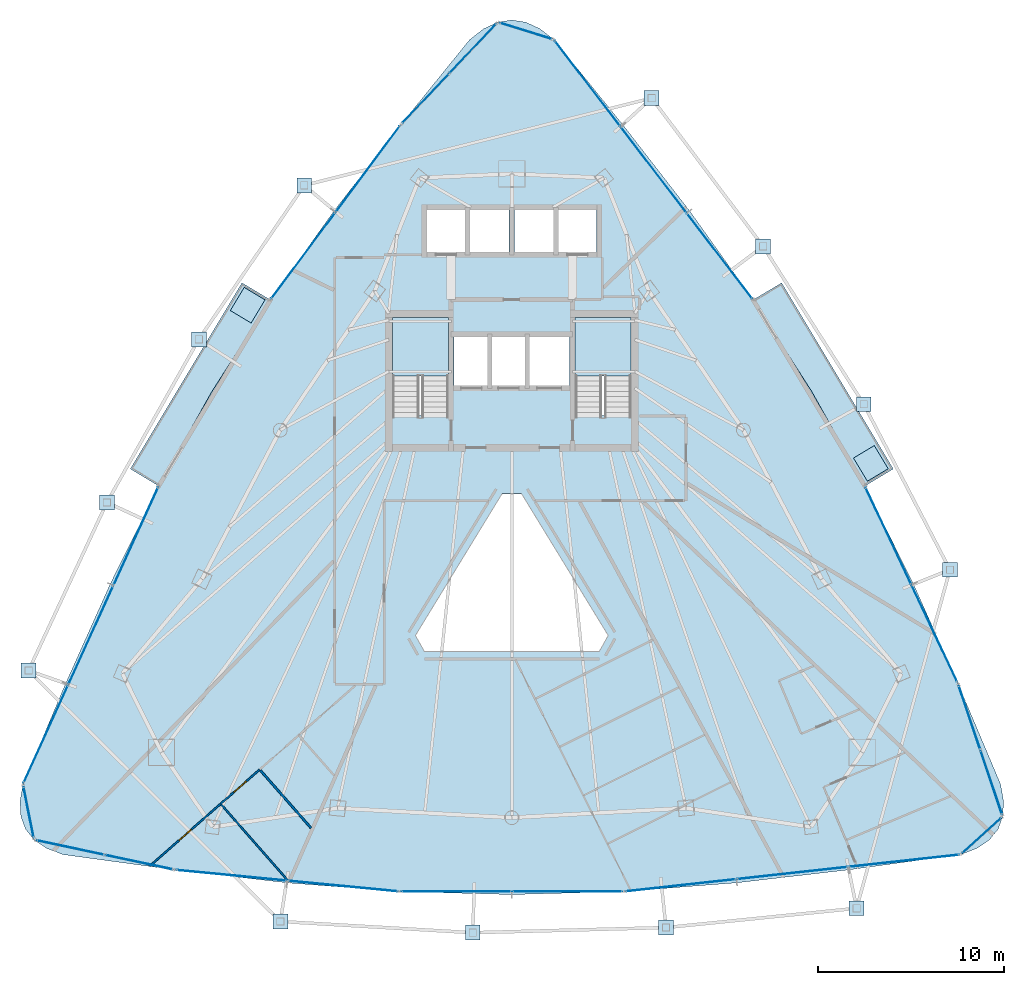
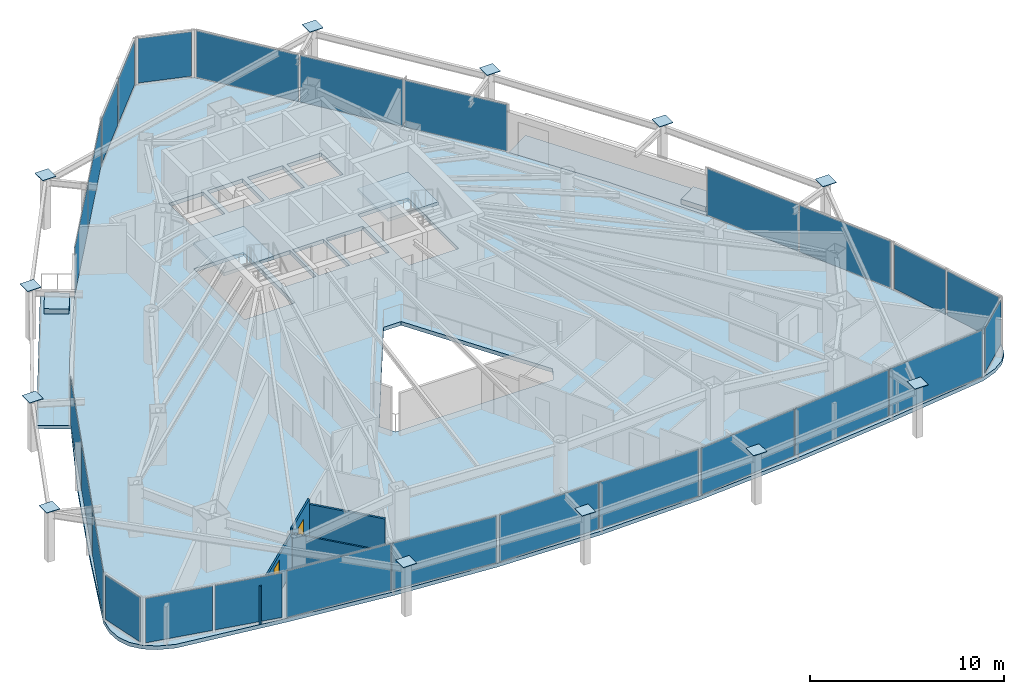
# One storey, part 25 of 31: 38 plates, 7 slabs, 4 walls, 2 doors, 2 openings, 15 elements without a shape of their own.
"""IFC4 building model written with IfcOpenShell, lengths in metres."""

from ifc_helpers import new_model, si_unit, direction, frame, frame_2d, origin, origin_2d, place, context, subcontext, project, spatial, polyline, rectangle, outline, extrude, material, layer, layer_set, type_object, element, fill, aggregate, save


model = new_model("IFC4")

# Units and contexts
model_context = context("Model", 3, precision=1e-05, world=origin(), true_north=direction((0.0, 1.0)))
body_context = subcontext(model_context, "Body", "Model", "MODEL_VIEW")
ifc_project = project(units=[si_unit("LENGTHUNIT", "METRE"), si_unit("AREAUNIT", "SQUARE_METRE"), si_unit("VOLUMEUNIT", "CUBIC_METRE"), si_unit("PLANEANGLEUNIT", "RADIAN"), si_unit("MASSUNIT", "GRAM", prefix="KILO")], contexts=[model_context])

# Site, building, storey
site_placement = place(None, origin())
site = spatial("IfcSite", under=ifc_project, at=site_placement, CompositionType="ELEMENT")
building_placement = place(site_placement, origin())
building = spatial("IfcBuilding", under=site, at=building_placement, Name="Orvanel Arch Residences", CompositionType="ELEMENT")
storey_placement = place(building_placement, frame((0.0, 0.0, 113.300048828125)))
storey = spatial("IfcBuildingStorey", under=building, at=storey_placement, Name="L31", CompositionType="ELEMENT", Elevation=113.300048828125)

# Plates
ifc_material_1 = material(Name="Structural steel AS/NZS 3678 Grade 350", Category="steel")
ifc_layer_1 = layer(ifc_material_1, 0.031982421875)
ifc_layer_set_1 = layer_set([ifc_layer_1], Name="Structural steel AS/NZS 3678 Grade 350")
plate_type_1 = type_object("IfcPlateType", Name="PL-CAP-32", PredefinedType="SHEET", material=ifc_layer_set_1)
for number, where, z_axis, x_axis, name in (
    (1, (21.861083984375, 40.780029296875, 3.2841796875), (0.0, 0.0, 1.0), (1.0, 0.0, 0.0), "L31 hollow member end cap plate"),
    (2, (16.200927734375, 32.51708984375, 3.2841796875), (0.0, 0.0, 1.0), (1.0, 0.0, 0.0), "L31 hollow member end cap plate"),
    (3, (11.27001953125, 23.760986328125, 3.2841796875), (0.0, 0.0, 1.0), (1.0, 0.0, 0.0), "L31 hollow member end cap plate"),
    (4, (7.06591796875, 14.739013671875, 3.2841796875), (0.0, 0.0, 1.0), (1.0, 0.0, 0.0), "L31 hollow member end cap plate"),
    (5, (20.576904296875, 1.27392578125, 3.2841796875), (0.0, 0.0, 1.0), (1.0, 0.0, 0.0), "L31 hollow member end cap plate"),
    (6, (30.903076171875, 0.6708984375, 3.2841796875), (0.0, 0.0, 1.0), (1.0, 0.0, 0.0), "L31 hollow member end cap plate"),
    (7, (41.27392578125, 0.946044921875, 3.2841796875), (0.0, 0.0, 1.0), (1.0, 0.0, 0.0), "L31 hollow member end cap plate"),
    (8, (51.5048828125, 1.98095703125, 3.2841796875), (0.0, 0.0, 1.0), (1.0, 0.0, 0.0), "L31 hollow member end cap plate"),
    (9, (56.513916015625, 20.14892578125, 3.2841796875), (0.0, 0.0, 1.0), (1.0, 0.0, 0.0), "L31 hollow member end cap plate"),
    (10, (51.888916015625, 29.032958984375, 3.2841796875), (0.0, 0.0, 1.0), (1.0, 0.0, 0.0), "L31 hollow member end cap plate"),
    (11, (46.486083984375, 37.5048828125, 3.2841796875), (0.0, 0.0, 1.0), (1.0, 0.0, 0.0), "L31 hollow member end cap plate"),
    (12, (40.5048828125, 45.4619140625, 3.2841796875), (0.0, 0.0, 1.0), (1.0, 0.0, 0.0), "L31 hollow member end cap plate"),
):
    element("IfcPlate", number, at=place(storey_placement, frame(where, z_axis=z_axis, x_axis=x_axis)), inside=storey, type_object=plate_type_1, Name=name, PredefinedType="SHEET", context=body_context, shape_type="SweptSolid", body=[
        extrude(rectangle(XDim=0.800048828125, YDim=0.800048828125, at=origin_2d()), origin(), (0.0, 0.0, 1.0), 0.031982421875),
    ])

# Curtain wall, plates
ifc_material_2 = material(Name="Bronze-anodised aluminium AA6063-T6", Category="aluminium")
ifc_layer_2 = layer(ifc_material_2, 0.179931640625)
ifc_layer_set_2 = layer_set([ifc_layer_2], Name="Bronze-anodised aluminium AA6063-T6")
curtain_wall_type_1 = type_object("IfcCurtainWallType", Name="CW3-MID-SYS", PredefinedType="NOTDEFINED", material=ifc_layer_set_2)
curtain_wall_1_placement = place(storey_placement, origin())
curtain_wall_1 = element("IfcCurtainWall", 13, at=curtain_wall_1_placement, inside=storey, type_object=curtain_wall_type_1, Name="L31 CW3-MID-SYS Unitised Curtain Wall", PredefinedType="NOTDEFINED")
ifc_material_3 = material(Name="Double-glazed solar-control low-E safety glass", Category="glass")
ifc_layer_3 = layer(ifc_material_3, 0.028076171875)
ifc_layer_set_3 = layer_set([ifc_layer_3], Name="Double-glazed solar-control low-E safety glass")
plate_type_2 = type_object("IfcPlateType", Name="PNL-GLZ-28", PredefinedType="CURTAIN_PANEL", material=ifc_layer_set_3)
plate_1_placement = place(storey_placement, frame((25.26953125, 41.6552734375, 0.06005859375), z_axis=(0.0, 0.0, 1.0), x_axis=(-0.596964580755, -0.802267592094, 0.0)))
plate_1 = element("IfcPlate", 14, at=plate_1_placement, type_object=plate_type_2, Name="CW-S3 panel 1.1", PredefinedType="CURTAIN_PANEL", context=body_context, shape_type="SweptSolid", body=[
    extrude(rectangle(XDim=5.727783203125, YDim=0.028076171875, at=origin_2d()), origin(), (0.0, 0.0, 1.0), 2.93994140625),
])
plate_2_placement = place(storey_placement, frame((21.808349609375, 37.00390625, 0.06005859375), z_axis=(0.0, 0.0, 1.0), x_axis=(-0.596964580755, -0.802267592094, 0.0)))
plate_2 = element("IfcPlate", 15, at=plate_2_placement, type_object=plate_type_2, Name="CW-S3 panel 2.1", PredefinedType="CURTAIN_PANEL", context=body_context, shape_type="SweptSolid", body=[
    extrude(rectangle(XDim=5.727783203125, YDim=0.028076171875, at=origin_2d()), origin(), (0.0, 0.0, 1.0), 2.93994140625),
])
aggregate(curtain_wall_1, [plate_1, plate_2])

curtain_wall_2_placement = place(storey_placement, origin())
curtain_wall_2 = element("IfcCurtainWall", 16, at=curtain_wall_2_placement, inside=storey, type_object=curtain_wall_type_1, Name="L31 CW3-MID-SYS Unitised Curtain Wall", PredefinedType="NOTDEFINED")
plate_3_placement = place(storey_placement, frame((12.826171875, 21.94970703125, 0.06005859375), z_axis=(0.0, 0.0, 1.0), x_axis=(-0.414361115258, -0.910112556864, 0.0)))
plate_3 = element("IfcPlate", 17, at=plate_3_placement, type_object=plate_type_2, Name="CW-S3 panel 1.1", PredefinedType="CURTAIN_PANEL", context=body_context, shape_type="SweptSolid", body=[
    extrude(rectangle(XDim=5.743408203125, YDim=0.028076171875, at=origin_2d()), origin(), (0.0, 0.0, 1.0), 2.93994140625),
])
plate_4_placement = place(storey_placement, frame((10.409912109375, 16.64306640625, 0.06005859375), z_axis=(0.0, 0.0, 1.0), x_axis=(-0.414361115258, -0.910112556864, 0.0)))
plate_4 = element("IfcPlate", 18, at=plate_4_placement, type_object=plate_type_2, Name="CW-S3 panel 2.1", PredefinedType="CURTAIN_PANEL", context=body_context, shape_type="SweptSolid", body=[
    extrude(rectangle(XDim=5.7783203125, YDim=0.028076171875, at=origin_2d()), origin(), (0.0, 0.0, 1.0), 2.93994140625),
])
plate_5_placement = place(storey_placement, frame((7.993896484375, 11.336181640625, 0.06005859375), z_axis=(0.0, 0.0, 1.0), x_axis=(-0.414361115258, -0.910112556864, 0.0)))
plate_5 = element("IfcPlate", 19, at=plate_5_placement, type_object=plate_type_2, Name="CW-S3 panel 3.1", PredefinedType="CURTAIN_PANEL", context=body_context, shape_type="SweptSolid", body=[
    extrude(rectangle(XDim=5.743408203125, YDim=0.028076171875, at=origin_2d()), origin(), (0.0, 0.0, 1.0), 2.93994140625),
])
aggregate(curtain_wall_2, [plate_3, plate_4, plate_5])

curtain_wall_3_placement = place(storey_placement, origin())
curtain_wall_3 = element("IfcCurtainWall", 20, at=curtain_wall_3_placement, inside=storey, type_object=curtain_wall_type_1, Name="L31 CW3-MID-SYS Unitised Curtain Wall", PredefinedType="NOTDEFINED")
plate_6_placement = place(storey_placement, frame((17.96923828125, 3.747802734375, 0.06005859375), z_axis=(0.0, 0.0, 1.0), x_axis=(0.995381496434, -0.095998315385, 0.0)))
plate_6 = element("IfcPlate", 21, at=plate_6_placement, type_object=plate_type_2, Name="CW-S3 panel 1.1", PredefinedType="CURTAIN_PANEL", context=body_context, shape_type="SweptSolid", body=[
    extrude(rectangle(XDim=5.92626953125, YDim=0.028076171875, at=origin_2d()), origin(), (0.0, 0.0, 1.0), 2.93994140625),
])
plate_7_placement = place(storey_placement, frame((23.937744140625, 3.172119140625, 0.06005859375), z_axis=(0.0, 0.0, 1.0), x_axis=(0.995381496434, -0.095998315385, 0.0)))
plate_7 = element("IfcPlate", 22, at=plate_7_placement, type_object=plate_type_2, Name="CW-S3 panel 2.1", PredefinedType="CURTAIN_PANEL", context=body_context, shape_type="SweptSolid", body=[
    extrude(rectangle(XDim=5.92626953125, YDim=0.028076171875, at=origin_2d()), origin(), (0.0, 0.0, 1.0), 2.93994140625),
])
aggregate(curtain_wall_3, [plate_6, plate_7])

curtain_wall_4_placement = place(storey_placement, origin())
curtain_wall_4 = element("IfcCurtainWall", 23, at=curtain_wall_4_placement, inside=storey, type_object=curtain_wall_type_1, Name="L31 CW3-MID-SYS Unitised Curtain Wall", PredefinedType="NOTDEFINED")
plate_8_placement = place(storey_placement, frame((30.01611328125, 2.87890625, 0.06005859375), z_axis=(0.0, 0.0, 1.0), x_axis=(1.0, 0.0, 0.0)))
plate_8 = element("IfcPlate", 24, at=plate_8_placement, type_object=plate_type_2, Name="CW-S3 panel 1.1", PredefinedType="CURTAIN_PANEL", context=body_context, shape_type="SweptSolid", body=[
    extrude(rectangle(XDim=5.89794921875, YDim=0.028076171875, at=origin_2d()), origin(), (0.0, 0.0, 1.0), 2.93994140625),
])
plate_9_placement = place(storey_placement, frame((35.98388671875, 2.87890625, 0.06005859375), z_axis=(0.0, 0.0, 1.0), x_axis=(1.0, 0.0, 0.0)))
plate_9 = element("IfcPlate", 25, at=plate_9_placement, type_object=plate_type_2, Name="CW-S3 panel 2.1", PredefinedType="CURTAIN_PANEL", context=body_context, shape_type="SweptSolid", body=[
    extrude(rectangle(XDim=5.89794921875, YDim=0.028076171875, at=origin_2d()), origin(), (0.0, 0.0, 1.0), 2.93994140625),
])
aggregate(curtain_wall_4, [plate_8, plate_9])

curtain_wall_5_placement = place(storey_placement, origin())
curtain_wall_5 = element("IfcCurtainWall", 26, at=curtain_wall_5_placement, inside=storey, type_object=curtain_wall_type_1, Name="L31 CW3-MID-SYS Unitised Curtain Wall", PredefinedType="NOTDEFINED")
plate_10_placement = place(storey_placement, frame((42.065673828125, 3.212890625, 0.06005859375), z_axis=(0.0, 0.0, 1.0), x_axis=(0.994024770117, 0.109154736008, 0.0)))
plate_10 = element("IfcPlate", 27, at=plate_10_placement, type_object=plate_type_2, Name="CW-S3 panel 1.1", PredefinedType="CURTAIN_PANEL", context=body_context, shape_type="SweptSolid", body=[
    extrude(rectangle(XDim=5.94140625, YDim=0.028076171875, at=origin_2d()), origin(), (0.0, 0.0, 1.0), 2.93994140625),
])
plate_11_placement = place(storey_placement, frame((48.05859375, 3.87109375, 0.06005859375), z_axis=(0.0, 0.0, 1.0), x_axis=(0.994024770117, 0.109154736008, 0.0)))
plate_11 = element("IfcPlate", 28, at=plate_11_placement, type_object=plate_type_2, Name="CW-S3 panel 2.1", PredefinedType="CURTAIN_PANEL", context=body_context, shape_type="SweptSolid", body=[
    extrude(rectangle(XDim=5.9765625, YDim=0.028076171875, at=origin_2d()), origin(), (0.0, 0.0, 1.0), 2.93994140625),
])
plate_12_placement = place(storey_placement, frame((54.051513671875, 4.529052734375, 0.06005859375), z_axis=(0.0, 0.0, 1.0), x_axis=(0.994024770117, 0.109154736008, 0.0)))
plate_12 = element("IfcPlate", 29, at=plate_12_placement, type_object=plate_type_2, Name="CW-S3 panel 3.1", PredefinedType="CURTAIN_PANEL", context=body_context, shape_type="SweptSolid", body=[
    extrude(rectangle(XDim=5.94140625, YDim=0.028076171875, at=origin_2d()), origin(), (0.0, 0.0, 1.0), 2.93994140625),
])
aggregate(curtain_wall_5, [plate_10, plate_11, plate_12])

curtain_wall_6_placement = place(storey_placement, origin())
curtain_wall_6 = element("IfcCurtainWall", 30, at=curtain_wall_6_placement, inside=storey, type_object=curtain_wall_type_1, Name="L31 CW3-MID-SYS Unitised Curtain Wall", PredefinedType="NOTDEFINED")
plate_13_placement = place(storey_placement, frame((55.681396484375, 16.7294921875, 0.06005859375), z_axis=(0.0, 0.0, 1.0), x_axis=(-0.42662661363, 0.904427848168, 0.0)))
plate_13 = element("IfcPlate", 31, at=plate_13_placement, type_object=plate_type_2, Name="CW-S3 panel 1.1", PredefinedType="CURTAIN_PANEL", context=body_context, shape_type="SweptSolid", body=[
    extrude(rectangle(XDim=5.72802734375, YDim=0.028076171875, at=origin_2d()), origin(), (0.0, 0.0, 1.0), 2.93994140625),
])
plate_14_placement = place(storey_placement, frame((53.207763671875, 21.973388671875, 0.06005859375), z_axis=(0.0, 0.0, 1.0), x_axis=(-0.42662661363, 0.904427848168, 0.0)))
plate_14 = element("IfcPlate", 32, at=plate_14_placement, type_object=plate_type_2, Name="CW-S3 panel 2.1", PredefinedType="CURTAIN_PANEL", context=body_context, shape_type="SweptSolid", body=[
    extrude(rectangle(XDim=5.72802734375, YDim=0.028076171875, at=origin_2d()), origin(), (0.0, 0.0, 1.0), 2.93994140625),
])
aggregate(curtain_wall_6, [plate_13, plate_14])

curtain_wall_7_placement = place(storey_placement, origin())
curtain_wall_7 = element("IfcCurtainWall", 33, at=curtain_wall_7_placement, inside=storey, type_object=curtain_wall_type_1, Name="L31 CW3-MID-SYS Unitised Curtain Wall", PredefinedType="NOTDEFINED")
plate_15_placement = place(storey_placement, frame((44.15478515625, 36.985595703125, 0.06005859375), z_axis=(0.0, 0.0, 1.0), x_axis=(-0.607904887805, 0.794009853454, 0.0)))
plate_15 = element("IfcPlate", 34, at=plate_15_placement, type_object=plate_type_2, Name="CW-S3 panel 1.1", PredefinedType="CURTAIN_PANEL", context=body_context, shape_type="SweptSolid", body=[
    extrude(rectangle(XDim=5.742919921875, YDim=0.028076171875, at=origin_2d()), origin(), (0.0, 0.0, 1.0), 2.93994140625),
])
plate_16_placement = place(storey_placement, frame((40.610595703125, 41.614990234375, 0.06005859375), z_axis=(0.0, 0.0, 1.0), x_axis=(-0.607904887805, 0.794009853454, 0.0)))
plate_16 = element("IfcPlate", 35, at=plate_16_placement, type_object=plate_type_2, Name="CW-S3 panel 2.1", PredefinedType="CURTAIN_PANEL", context=body_context, shape_type="SweptSolid", body=[
    extrude(rectangle(XDim=5.778076171875, YDim=0.028076171875, at=origin_2d()), origin(), (0.0, 0.0, 1.0), 2.93994140625),
])
plate_17_placement = place(storey_placement, frame((37.066162109375, 46.244384765625, 0.06005859375), z_axis=(0.0, 0.0, 1.0), x_axis=(-0.607904887805, 0.794009853454, 0.0)))
plate_17 = element("IfcPlate", 36, at=plate_17_placement, type_object=plate_type_2, Name="CW-S3 panel 3.1", PredefinedType="CURTAIN_PANEL", context=body_context, shape_type="SweptSolid", body=[
    extrude(rectangle(XDim=5.742919921875, YDim=0.028076171875, at=origin_2d()), origin(), (0.0, 0.0, 1.0), 2.93994140625),
])
aggregate(curtain_wall_7, [plate_15, plate_16, plate_17])

# Curtain wall, plate
ifc_layer_4 = layer(ifc_material_2, 0.18994140625)
ifc_layer_set_4 = layer_set([ifc_layer_4], Name="Bronze-anodised aluminium AA6063-T6")
curtain_wall_type_2 = type_object("IfcCurtainWallType", Name="CW5-CRN-SYS", PredefinedType="NOTDEFINED", material=ifc_layer_set_4)
curtain_wall_8_placement = place(storey_placement, origin())
curtain_wall_8 = element("IfcCurtainWall", 37, at=curtain_wall_8_placement, inside=storey, type_object=curtain_wall_type_2, Name="L31 CW5-CRN-SYS Unitised Curtain Wall", PredefinedType="NOTDEFINED")
ifc_layer_5 = layer(ifc_material_3, 0.031982421875)
ifc_layer_set_5 = layer_set([ifc_layer_5], Name="Double-glazed solar-control low-E safety glass")
plate_type_3 = type_object("IfcPlateType", Name="PNL-GLZ-32", PredefinedType="CURTAIN_PANEL", material=ifc_layer_set_5)
plate_18_placement = place(storey_placement, frame((33.755615234375, 49.06591796875, 0.1298828125), z_axis=(0.0, 0.0, 1.0), x_axis=(-0.954860811734, 0.297053581385, 0.0)))
plate_18 = element("IfcPlate", 38, at=plate_18_placement, type_object=plate_type_3, Name="CW-S5 panel 1.1", PredefinedType="CURTAIN_PANEL", context=body_context, shape_type="SweptSolid", body=[
    extrude(rectangle(XDim=2.823974609375, YDim=0.031982421875, at=origin_2d()), origin(), (0.0, 0.0, 1.0), 2.800048828125),
])
aggregate(curtain_wall_8, [plate_18])

# Curtain wall, plates
curtain_wall_9_placement = place(storey_placement, origin())
curtain_wall_9 = element("IfcCurtainWall", 39, at=curtain_wall_9_placement, inside=storey, type_object=curtain_wall_type_2, Name="L31 CW5-CRN-SYS Unitised Curtain Wall", PredefinedType="NOTDEFINED")
plate_19_placement = place(storey_placement, frame((30.9091796875, 48.12353515625, 0.1298828125), z_axis=(0.0, 0.0, 1.0), x_axis=(-0.687148803873, -0.7265167041, 0.0)))
plate_19 = element("IfcPlate", 40, at=plate_19_placement, type_object=plate_type_3, Name="CW-S5 panel 1.1", PredefinedType="CURTAIN_PANEL", context=body_context, shape_type="SweptSolid", body=[
    extrude(rectangle(XDim=3.547119140625, YDim=0.031982421875, at=origin_2d()), origin(), (0.0, 0.0, 1.0), 2.800048828125),
])
plate_20_placement = place(storey_placement, frame((28.36865234375, 45.4375, 0.1298828125), z_axis=(0.0, 0.0, 1.0), x_axis=(-0.687148803873, -0.7265167041, 0.0)))
plate_20 = element("IfcPlate", 41, at=plate_20_placement, type_object=plate_type_3, Name="CW-S5 panel 2.1", PredefinedType="CURTAIN_PANEL", context=body_context, shape_type="SweptSolid", body=[
    extrude(rectangle(XDim=3.547119140625, YDim=0.031982421875, at=origin_2d()), origin(), (0.0, 0.0, 1.0), 2.800048828125),
])
aggregate(curtain_wall_9, [plate_19, plate_20])

# Curtain wall, plate
curtain_wall_10_placement = place(storey_placement, origin())
curtain_wall_10 = element("IfcCurtainWall", 42, at=curtain_wall_10_placement, inside=storey, type_object=curtain_wall_type_2, Name="L31 CW5-CRN-SYS Unitised Curtain Wall", PredefinedType="NOTDEFINED")
plate_21_placement = place(storey_placement, frame((7.06494140625, 7.146484375, 0.1298828125), z_axis=(0.0, 0.0, 1.0), x_axis=(0.195540530712, -0.980695620898, 0.0)))
plate_21 = element("IfcPlate", 43, at=plate_21_placement, type_object=plate_type_3, Name="CW-S5 panel 1.1", PredefinedType="CURTAIN_PANEL", context=body_context, shape_type="SweptSolid", body=[
    extrude(rectangle(XDim=2.70703125, YDim=0.031982421875, at=origin_2d()), origin(), (0.0, 0.0, 1.0), 2.800048828125),
])
aggregate(curtain_wall_10, [plate_21])

# Curtain wall, plates
curtain_wall_11_placement = place(storey_placement, origin())
curtain_wall_11 = element("IfcCurtainWall", 44, at=curtain_wall_11_placement, inside=storey, type_object=curtain_wall_type_2, Name="L31 CW5-CRN-SYS Unitised Curtain Wall", PredefinedType="NOTDEFINED")
plate_22_placement = place(storey_placement, frame((9.301513671875, 5.239501953125, 0.1298828125), z_axis=(0.0, 0.0, 1.0), x_axis=(0.978065955082, -0.208295433244, 0.0)))
plate_22 = element("IfcPlate", 45, at=plate_22_placement, type_object=plate_type_3, Name="CW-S5 panel 1.1", PredefinedType="CURTAIN_PANEL", context=body_context, shape_type="SweptSolid", body=[
    extrude(rectangle(XDim=3.622802734375, YDim=0.031982421875, at=origin_2d()), origin(), (0.0, 0.0, 1.0), 2.800048828125),
])
plate_23_placement = place(storey_placement, frame((12.991455078125, 4.45361328125, 0.1298828125), z_axis=(0.0, 0.0, 1.0), x_axis=(0.978065955082, -0.208295433244, 0.0)))
plate_23 = element("IfcPlate", 46, at=plate_23_placement, type_object=plate_type_3, Name="CW-S5 panel 2.1", PredefinedType="CURTAIN_PANEL", context=body_context, shape_type="SweptSolid", body=[
    extrude(rectangle(XDim=3.622802734375, YDim=0.031982421875, at=origin_2d()), origin(), (0.0, 0.0, 1.0), 2.800048828125),
])
aggregate(curtain_wall_11, [plate_22, plate_23])

# Curtain wall, plate
curtain_wall_12_placement = place(storey_placement, origin())
curtain_wall_12 = element("IfcCurtainWall", 47, at=curtain_wall_12_placement, inside=storey, type_object=curtain_wall_type_2, Name="L31 CW5-CRN-SYS Unitised Curtain Wall", PredefinedType="NOTDEFINED")
plate_24_placement = place(storey_placement, frame((58.221923828125, 5.886962890625, 0.1298828125), z_axis=(0.0, 0.0, 1.0), x_axis=(0.740210851993, 0.672374817042, 0.0)))
plate_24 = element("IfcPlate", 48, at=plate_24_placement, type_object=plate_type_3, Name="CW-S5 panel 1.1", PredefinedType="CURTAIN_PANEL", context=body_context, shape_type="SweptSolid", body=[
    extrude(rectangle(XDim=2.707275390625, YDim=0.031982421875, at=origin_2d()), origin(), (0.0, 0.0, 1.0), 2.800048828125),
])
aggregate(curtain_wall_12, [plate_24])

# Curtain wall, plates
curtain_wall_13_placement = place(storey_placement, origin())
curtain_wall_13 = element("IfcCurtainWall", 49, at=curtain_wall_13_placement, inside=storey, type_object=curtain_wall_type_2, Name="L31 CW5-CRN-SYS Unitised Curtain Wall", PredefinedType="NOTDEFINED")
plate_25_placement = place(storey_placement, frame((58.73291015625, 8.74267578125, 0.1298828125), z_axis=(0.0, 0.0, 1.0), x_axis=(-0.319385206856, 0.947624973099, 0.0)))
plate_25 = element("IfcPlate", 50, at=plate_25_placement, type_object=plate_type_3, Name="CW-S5 panel 1.1", PredefinedType="CURTAIN_PANEL", context=body_context, shape_type="SweptSolid", body=[
    extrude(rectangle(XDim=3.52587890625, YDim=0.031982421875, at=origin_2d()), origin(), (0.0, 0.0, 1.0), 2.800048828125),
])
plate_26_placement = place(storey_placement, frame((57.55908203125, 12.226318359375, 0.1298828125), z_axis=(0.0, 0.0, 1.0), x_axis=(-0.319385206856, 0.947624973099, 0.0)))
plate_26 = element("IfcPlate", 51, at=plate_26_placement, type_object=plate_type_3, Name="CW-S5 panel 2.1", PredefinedType="CURTAIN_PANEL", context=body_context, shape_type="SweptSolid", body=[
    extrude(rectangle(XDim=3.52587890625, YDim=0.031982421875, at=origin_2d()), origin(), (0.0, 0.0, 1.0), 2.800048828125),
])
aggregate(curtain_wall_13, [plate_25, plate_26])

# Slabs
ifc_material_4 = material(Name="Concrete N40 (40 MPa)", Category="concrete")
ifc_layer_6 = layer(ifc_material_4, 0.215087890625)
ifc_layer_set_6 = layer_set([ifc_layer_6], Name="Concrete N40 (40 MPa)")
slab_type_1 = type_object("IfcSlabType", Name="SLB-BAL-215", PredefinedType="FLOOR", material=ifc_layer_set_6)
slab_1_placement = place(storey_placement, frame((0.0, 0.0, -0.215087890625)))
element("IfcSlab", 52, at=slab_1_placement, inside=storey, type_object=slab_type_1, Name="L31 Cantilevered Balcony Slab Face 3", PredefinedType="FLOOR", context=body_context, shape_type="SweptSolid", body=[
    extrude(outline(polyline([(53.47412109375, 25.56005859375), (47.48193359375, 35.549072265625), (45.955078125, 34.634033203125), (49.092041015625, 29.722900390625), (51.947021484375, 24.64501953125), (53.47412109375, 25.56005859375)])), origin(), (0.0, 0.0, 1.0), 0.215087890625),
])
slab_2_placement = place(storey_placement, frame((0.0, 0.0, -0.215087890625)))
element("IfcSlab", 53, at=slab_2_placement, inside=storey, type_object=slab_type_1, Name="L31 Cantilevered Balcony Slab Face 1", PredefinedType="FLOOR", context=body_context, shape_type="SweptSolid", body=[
    extrude(outline(polyline([(18.51806640625, 35.549072265625), (12.52587890625, 25.56005859375), (14.052978515625, 24.64501953125), (16.908935546875, 29.722900390625), (20.044921875, 34.634033203125), (18.51806640625, 35.549072265625)])), origin(), (0.0, 0.0, 1.0), 0.215087890625),
])

# Stair, slab
ifc_material_5 = material(Name="Precast concrete N50 (50 MPa)", Category="concrete")
stair_type = type_object("IfcStairType", Name="STR-DOG-184", PredefinedType="USERDEFINED", material=ifc_material_5)
stair_1_placement = place(storey_placement, origin())
stair_1 = element("IfcStair", 54, at=stair_1_placement, inside=storey, type_object=stair_type, Name="L31 Fire-Isolated Core Exit Stair 1", ObjectType="TWO_RETURN_STAIR", PredefinedType="USERDEFINED")
ifc_layer_7 = layer(ifc_material_4, 0.199951171875)
ifc_layer_set_7 = layer_set([ifc_layer_7], Name="Concrete N40 (40 MPa)")
slab_type_2 = type_object("IfcSlabType", Name="SLB-LND-200", PredefinedType="LANDING", material=ifc_layer_set_7)
slab_3_placement = place(storey_placement, frame((0.0, 0.0, 1.449951171875)))
slab_3 = element("IfcSlab", 55, at=slab_3_placement, type_object=slab_type_2, Name="ST-1 landing 1", PredefinedType="LANDING", context=body_context, shape_type="SweptSolid", body=[
    extrude(outline(polyline([(29.60009765625, 30.56005859375), (29.60009765625, 33.699951171875), (26.60009765625, 33.699951171875), (26.60009765625, 30.56005859375), (29.60009765625, 30.56005859375)])), origin(), (0.0, 0.0, 1.0), 0.199951171875),
])
aggregate(stair_1, [slab_3])

stair_2_placement = place(storey_placement, origin())
stair_2 = element("IfcStair", 56, at=stair_2_placement, inside=storey, type_object=stair_type, Name="L31 Fire-Isolated Core Exit Stair 2", ObjectType="TWO_RETURN_STAIR", PredefinedType="USERDEFINED")
slab_4_placement = place(storey_placement, frame((0.0, 0.0, 1.449951171875)))
slab_4 = element("IfcSlab", 57, at=slab_4_placement, type_object=slab_type_2, Name="ST-2 landing 1", PredefinedType="LANDING", context=body_context, shape_type="SweptSolid", body=[
    extrude(outline(polyline([(39.39990234375, 30.56005859375), (39.39990234375, 33.699951171875), (36.39990234375, 33.699951171875), (36.39990234375, 30.56005859375), (39.39990234375, 30.56005859375)])), origin(), (0.0, 0.0, 1.0), 0.199951171875),
])
aggregate(stair_2, [slab_4])

# Slabs
ifc_material_6 = material(Name="Structural architectural precast concrete N40 (40 MPa) planter", Category="concrete")
ifc_layer_8 = layer(ifc_material_6, 0.320068359375)
ifc_layer_set_8 = layer_set([ifc_layer_8], Name="Structural architectural precast concrete N40 (40 MPa) planter")
slab_type_3 = type_object("IfcSlabType", Name="SLB-PLN-320", PredefinedType="USERDEFINED", material=ifc_layer_set_8)
slab_5_placement = place(storey_placement, origin())
element("IfcSlab", 58, at=slab_5_placement, inside=storey, type_object=slab_type_3, Name="L31 Balcony TREE PLANTER Face 3", ObjectType="PLANTER", PredefinedType="USERDEFINED", context=body_context, shape_type="SweptSolid", body=[
    extrude(outline(polyline([(53.198974609375, 25.571044921875), (52.452880859375, 26.81396484375), (51.339111328125, 26.14501953125), (52.083984375, 24.902099609375), (53.198974609375, 25.571044921875)])), origin(), (0.0, 0.0, 1.0), 0.320068359375),
])
slab_6_placement = place(storey_placement, origin())
element("IfcSlab", 59, at=slab_6_placement, inside=storey, type_object=slab_type_3, Name="L31 Balcony TREE PLANTER Face 1", ObjectType="PLANTER", PredefinedType="USERDEFINED", context=body_context, shape_type="SweptSolid", body=[
    extrude(outline(polyline([(18.637939453125, 35.302001953125), (17.89208984375, 34.05908203125), (19.007080078125, 33.389892578125), (19.7529296875, 34.634033203125), (18.637939453125, 35.302001953125)])), origin(), (0.0, 0.0, 1.0), 0.320068359375),
])
ifc_layer_9 = layer(ifc_material_4, 0.239990234375)
ifc_layer_set_9 = layer_set([ifc_layer_9], Name="Concrete N40 (40 MPa)")
slab_type_4 = type_object("IfcSlabType", Name="SLB-TYP-240", PredefinedType="FLOOR", material=ifc_layer_set_9)
slab_7_placement = place(storey_placement, frame((0.0, 0.0, -0.239990234375)))
element("IfcSlab", 60, at=slab_7_placement, inside=storey, type_object=slab_type_4, Name="L31 Tower Floor Slab", PredefinedType="FLOOR", context=body_context, shape_type="SweptSolid", body=[
    extrude(outline(polyline([(35.26611328125, 48.595947265625), (34.510986328125, 49.18408203125), (33.7548828125, 49.535888671875), (33.0, 49.654052734375), (32.2451171875, 49.535888671875), (31.489013671875, 49.18408203125), (30.73388671875, 48.595947265625), (27.032958984375, 44.02490234375), (23.43994140625, 39.388916015625), (20.044921875, 34.634033203125), (16.908935546875, 29.722900390625), (14.052978515625, 24.64501953125), (11.4560546875, 19.410888671875), (9.05810546875, 14.05810546875), (6.76708984375, 8.64111328125), (6.60498046875, 7.717041015625), (6.64990234375, 6.910888671875), (6.903076171875, 6.222900390625), (7.363037109375, 5.652099609375), (8.031005859375, 5.198974609375), (8.906005859375, 4.863037109375), (14.929931640625, 4.041015625), (20.952880859375, 3.343994140625), (26.97705078125, 2.87890625), (33.0, 2.715087890625), (39.02294921875, 2.87890625), (45.047119140625, 3.343994140625), (51.071044921875, 4.041015625), (57.093994140625, 4.863037109375), (57.968994140625, 5.198974609375), (58.636962890625, 5.652099609375), (59.096923828125, 6.222900390625), (59.35009765625, 6.910888671875), (59.39501953125, 7.717041015625), (59.23291015625, 8.64111328125), (56.94189453125, 14.05810546875), (54.5439453125, 19.410888671875), (51.947021484375, 24.64501953125), (49.092041015625, 29.722900390625), (45.955078125, 34.634033203125), (42.56005859375, 39.388916015625), (38.967041015625, 44.02490234375), (35.26611328125, 48.595947265625)]), holes=[polyline([(26.60009765625, 28.429931640625), (26.60009765625, 33.699951171875), (29.60009765625, 33.699951171875), (29.60009765625, 28.429931640625), (26.60009765625, 28.429931640625)]), polyline([(36.39990234375, 28.429931640625), (36.39990234375, 33.699951171875), (39.39990234375, 33.699951171875), (39.39990234375, 28.429931640625), (36.39990234375, 28.429931640625)]), polyline([(29.89990234375, 32.64990234375), (31.75, 32.64990234375), (31.75, 29.949951171875), (29.89990234375, 29.949951171875), (29.89990234375, 32.64990234375)]), polyline([(31.89990234375, 32.64990234375), (33.75, 32.64990234375), (33.75, 29.949951171875), (31.89990234375, 29.949951171875), (31.89990234375, 32.64990234375)]), polyline([(33.89990234375, 32.64990234375), (36.10009765625, 32.64990234375), (36.10009765625, 29.949951171875), (33.89990234375, 29.949951171875), (33.89990234375, 32.64990234375)]), polyline([(28.449951171875, 39.449951171875), (30.5, 39.449951171875), (30.5, 37.199951171875), (28.449951171875, 37.199951171875), (28.449951171875, 39.449951171875)]), polyline([(35.5, 39.449951171875), (37.550048828125, 39.449951171875), (37.550048828125, 37.199951171875), (35.5, 37.199951171875), (35.5, 39.449951171875)]), polyline([(30.75, 39.449951171875), (32.85009765625, 39.449951171875), (32.85009765625, 37.199951171875), (30.75, 37.199951171875), (30.75, 39.449951171875)]), polyline([(33.14990234375, 39.449951171875), (35.25, 39.449951171875), (35.25, 37.199951171875), (33.14990234375, 37.199951171875), (33.14990234375, 39.449951171875)]), polyline([(38.175048828125, 16.6220703125), (37.694091796875, 15.763916015625), (28.305908203125, 15.763916015625), (27.824951171875, 16.6220703125), (32.47607421875, 24.22998046875), (33.52392578125, 24.22998046875), (38.175048828125, 16.6220703125)])]), origin(), (0.0, 0.0, 1.0), 0.239990234375),
])

# Wall, opening, door
ifc_material_7 = material(Name="Acoustic plasterboard lined twin-stud partition", Category="gypsum")
ifc_layer_10 = layer(ifc_material_7, 0.10009765625)
ifc_layer_set_10 = layer_set([ifc_layer_10], Name="Acoustic plasterboard lined twin-stud partition")
wall_type_1 = type_object("IfcWallType", Name="W-INT-100", PredefinedType="PARTITIONING", material=ifc_layer_set_10)
wall_1_placement = place(storey_placement, frame((17.3701171875, 7.5859375, 0.0), z_axis=(0.0, 0.0, 1.0), x_axis=(-0.751292920188, -0.659968899324, 0.0)))
wall_1 = element("IfcWall", 61, at=wall_1_placement, inside=storey, type_object=wall_type_1, Name="L31 Flat E Internal Partition", PredefinedType="PARTITIONING", context=body_context, shape_type="SweptSolid", body=[
    extrude(rectangle(XDim=5.0712890625, YDim=0.10009765625, at=frame_2d((2.53564453125, 0.0))), origin(), (0.0, 0.0, 1.0), 2.412841796875),
])
opening_1_placement = place(wall_1_placement, frame((2.095947265625, 0.0, 0.0)))
opening_1 = element("IfcOpeningElement", 62, at=opening_1_placement, cuts=wall_1, Name="Opening DI-088", PredefinedType="OPENING", context=body_context, shape_type="SweptSolid", body=[
    extrude(rectangle(XDim=0.8798828125, YDim=2.10009765625, at=frame_2d((0.43994140625, 1.050048828125))), frame((0.0, 0.06005859375, 0.0), z_axis=(0.0, -1.0, 0.0), x_axis=(1.0, 0.0, 0.0)), (0.0, 0.0, 1.0), 0.1201171875),
])
ifc_material_8 = material(Name="Solid-core European oak veneer fire door leaf", Category="wood")
door_type = type_object("IfcDoorType", Name="DR-INT-880", OperationType="NOTDEFINED", PredefinedType="DOOR", material=ifc_material_8)
door_1_placement = place(opening_1_placement, origin())
door_1 = element("IfcDoor", 63, at=door_1_placement, inside=storey, type_object=door_type, Name="DR-L31-E-BED1 L31 Flat E Bedroom 1 Door", OperationType="SINGLE_SWING_LEFT", OverallHeight=2.10009765625, OverallWidth=0.8798828125, PredefinedType="DOOR", context=body_context, shape_type="SweptSolid", body=[
    extrude(rectangle(XDim=0.8798828125, YDim=2.10009765625, at=frame_2d((0.43994140625, 1.050048828125))), frame((0.0, 0.02490234375, 0.0), z_axis=(0.0, -1.0, 0.0), x_axis=(1.0, 0.0, 0.0)), (0.0, 0.0, 1.0), 0.050048828125),
])
fill(opening_1, door_1)

wall_2_placement = place(storey_placement, frame((19.467041015625, 9.427001953125, 0.0), z_axis=(0.0, 0.0, 1.0), x_axis=(-0.751464558758, -0.659773458795, 0.0)))
wall_2 = element("IfcWall", 64, at=wall_2_placement, inside=storey, type_object=wall_type_1, Name="L31 Flat E Internal Partition", PredefinedType="PARTITIONING", context=body_context, shape_type="SweptSolid", body=[
    extrude(rectangle(XDim=2.79052734375, YDim=0.10009765625, at=frame_2d((1.395263671875, 0.0))), origin(), (0.0, 0.0, 1.0), 2.720947265625),
])
opening_2_placement = place(wall_2_placement, frame((0.955078125, 0.0, 0.0)))
opening_2 = element("IfcOpeningElement", 65, at=opening_2_placement, cuts=wall_2, Name="Opening DI-088", PredefinedType="OPENING", context=body_context, shape_type="SweptSolid", body=[
    extrude(rectangle(XDim=0.8798828125, YDim=2.10009765625, at=frame_2d((0.43994140625, 1.050048828125))), frame((0.0, 0.06005859375, 0.0), z_axis=(0.0, -1.0, 0.0), x_axis=(1.0, 0.0, 0.0)), (0.0, 0.0, 1.0), 0.1201171875),
])
door_2_placement = place(opening_2_placement, origin())
door_2 = element("IfcDoor", 66, at=door_2_placement, inside=storey, type_object=door_type, Name="DR-L31-E-DIN2 L31 Flat E Dining Room 2 Door", OperationType="SINGLE_SWING_LEFT", OverallHeight=2.10009765625, OverallWidth=0.8798828125, PredefinedType="DOOR", context=body_context, shape_type="SweptSolid", body=[
    extrude(rectangle(XDim=0.8798828125, YDim=2.10009765625, at=frame_2d((0.43994140625, 1.050048828125))), frame((0.0, 0.02490234375, 0.0), z_axis=(0.0, -1.0, 0.0), x_axis=(1.0, 0.0, 0.0)), (0.0, 0.0, 1.0), 0.050048828125),
])
fill(opening_2, door_2)

# Walls
wall_3_placement = place(storey_placement, frame((17.3701171875, 7.5859375, 0.0), z_axis=(0.0, 0.0, 1.0), x_axis=(0.659851528992, -0.751396007234, 0.0)))
element("IfcWall", 67, at=wall_3_placement, inside=storey, type_object=wall_type_1, Name="L31 Flat E Internal Partition", PredefinedType="PARTITIONING", context=body_context, shape_type="SweptSolid", body=[
    extrude(rectangle(XDim=5.47509765625, YDim=0.10009765625, at=frame_2d((2.737548828125, 0.0))), origin(), (0.0, 0.0, 1.0), 2.412841796875),
])
ifc_layer_11 = layer(ifc_material_7, 0.1201171875)
ifc_layer_set_11 = layer_set([ifc_layer_11], Name="Acoustic plasterboard lined twin-stud partition")
wall_type_2 = type_object("IfcWallType", Name="W-WET-120", PredefinedType="PARTITIONING", material=ifc_layer_set_11)
wall_4_placement = place(storey_placement, frame((22.22509765625, 6.287109375, 0.0), z_axis=(0.0, 0.0, 1.0), x_axis=(-0.659946783628, 0.751312347016, 0.0)))
element("IfcWall", 68, at=wall_4_placement, inside=storey, type_object=wall_type_2, Name="L31 Flat E Internal Partition", PredefinedType="PARTITIONING", context=body_context, shape_type="SweptSolid", body=[
    extrude(rectangle(XDim=4.17919921875, YDim=0.1201171875, at=frame_2d((2.089599609375, 0.0))), origin(), (0.0, 0.0, 1.0), 2.412841796875),
])

save(model, "model.ifc")
